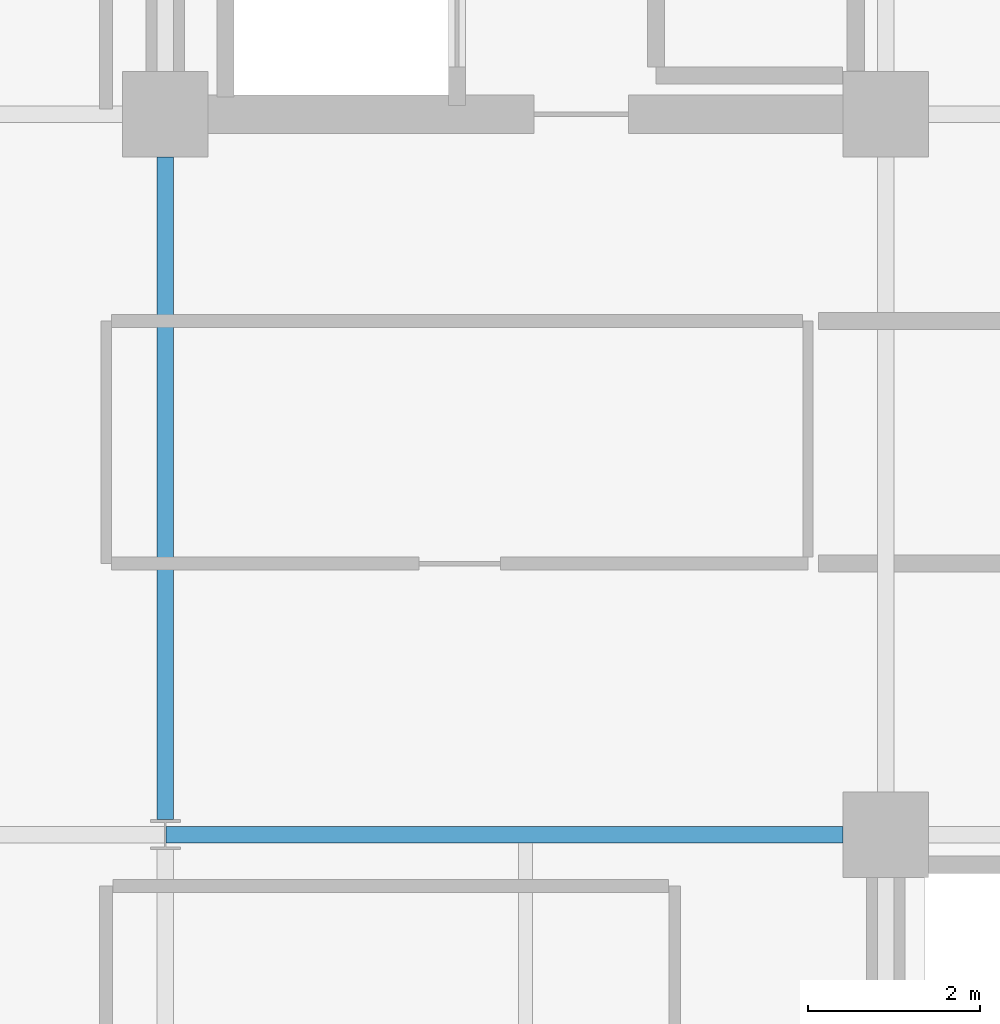
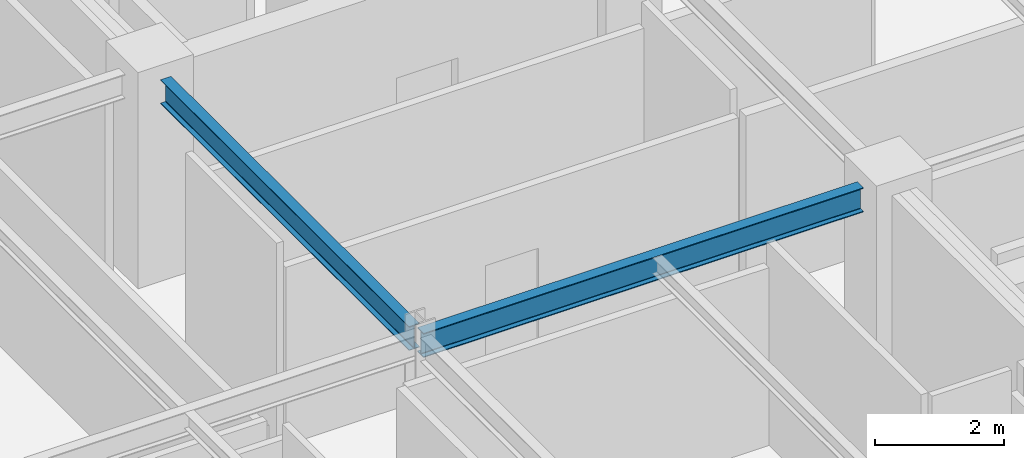
# One storey, part 9 of 25: 2 beams.
"""IFC4 building model written with IfcOpenShell, lengths in metres."""

from ifc_helpers import new_model, si_unit, direction, frame, origin, origin_2d, place, context, subcontext, project, spatial, i_section, extrude, material, material_profile, profile_set, type_object, element, save


model = new_model("IFC4")

# Units and contexts
model_context = context("Model", 3, precision=1e-05, world=origin(), true_north=direction((0.0, 1.0)))
body_context = subcontext(model_context, "Body", "Model", "MODEL_VIEW")
ifc_project = project(units=[si_unit("LENGTHUNIT", "METRE"), si_unit("AREAUNIT", "SQUARE_METRE"), si_unit("VOLUMEUNIT", "CUBIC_METRE"), si_unit("PLANEANGLEUNIT", "RADIAN"), si_unit("MASSUNIT", "GRAM", prefix="KILO")], contexts=[model_context])

# Site, building, storey
site_placement = place(None, origin())
site = spatial("IfcSite", under=ifc_project, at=site_placement, CompositionType="ELEMENT")
building_placement = place(site_placement, origin())
building = spatial("IfcBuilding", under=site, at=building_placement, Name="Nerrivon Quay Data Exchange", CompositionType="ELEMENT")
storey_placement = place(building_placement, frame((0.0, 0.0, 224.699951171875)))
storey = spatial("IfcBuildingStorey", under=building, at=storey_placement, Name="L53", CompositionType="ELEMENT", Elevation=224.699951171875)

# Beams
ifc_material = material(Name="Steel Grade 350", Category="steel")
ifc_material_profile_1 = material_profile(ifc_material, i_section(OverallWidth=0.19091796875, OverallDepth=0.4599609375, WebThickness=0.010009765625, FlangeThickness=0.01611328125, FilletRadius=0.011474609375, at=origin_2d()), Name="460UB82.1")
ifc_profile_set_1 = profile_set([ifc_material_profile_1], Name="Steel Grade 350")
beam_type_1 = type_object("IfcBeamType", Name="BM-G5-460UB82", PredefinedType="BEAM", material=ifc_profile_set_1)
beam_1_placement = place(storey_placement, frame((8.409912109375, 16.800048828125, 3.594970703125), z_axis=(1.0, 0.0, 0.0), x_axis=(0.0, 1.0, 0.0)))
element("IfcBeam", 1, at=beam_1_placement, inside=storey, type_object=beam_type_1, Name="L53 EW Girder Y=16.8 (8.4..16.8)", PredefinedType="BEAM", context=body_context, shape_type="SweptSolid", body=[
    extrude(i_section(OverallWidth=0.19091796875, OverallDepth=0.4599609375, WebThickness=0.010009765625, FlangeThickness=0.01611328125, FilletRadius=0.011474609375, at=origin_2d()), origin(), (0.0, 0.0, 1.0), 7.89013671875),
])
ifc_material_profile_2 = material_profile(ifc_material, i_section(OverallWidth=0.18994140625, OverallDepth=0.4541015625, WebThickness=0.008544921875, FlangeThickness=0.0126953125, FilletRadius=0.011474609375, at=origin_2d()), Name="460UB67.1")
ifc_profile_set_2 = profile_set([ifc_material_profile_2], Name="Steel Grade 350")
beam_type_2 = type_object("IfcBeamType", Name="BM-G6-460UB67", PredefinedType="BEAM", material=ifc_profile_set_2)
beam_2_placement = place(storey_placement, frame((8.39990234375, 16.97509765625, 3.59814453125), z_axis=(0.0, 1.0, 0.0), x_axis=(-1.0, 0.0, 0.0)))
element("IfcBeam", 2, at=beam_2_placement, inside=storey, type_object=beam_type_2, Name="L53 NS Girder X=8.4 (16.8..25.2)", PredefinedType="BEAM", context=body_context, shape_type="SweptSolid", body=[
    extrude(i_section(OverallWidth=0.18994140625, OverallDepth=0.4541015625, WebThickness=0.008544921875, FlangeThickness=0.0126953125, FilletRadius=0.011474609375, at=origin_2d()), origin(), (0.0, 0.0, 1.0), 7.724853515625),
])

save(model, "model.ifc")
